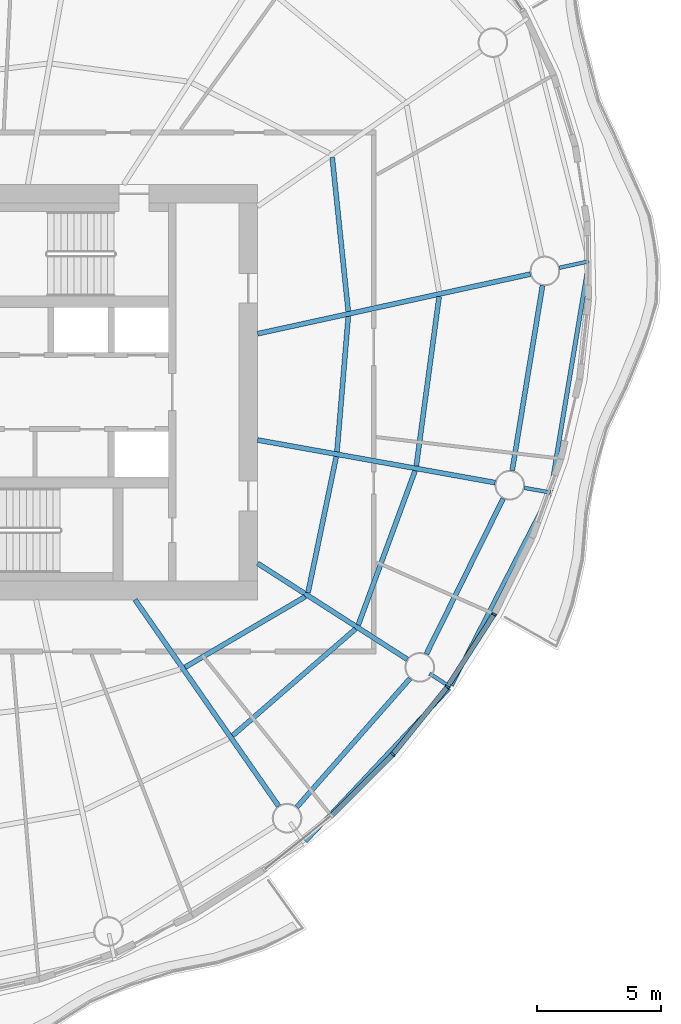
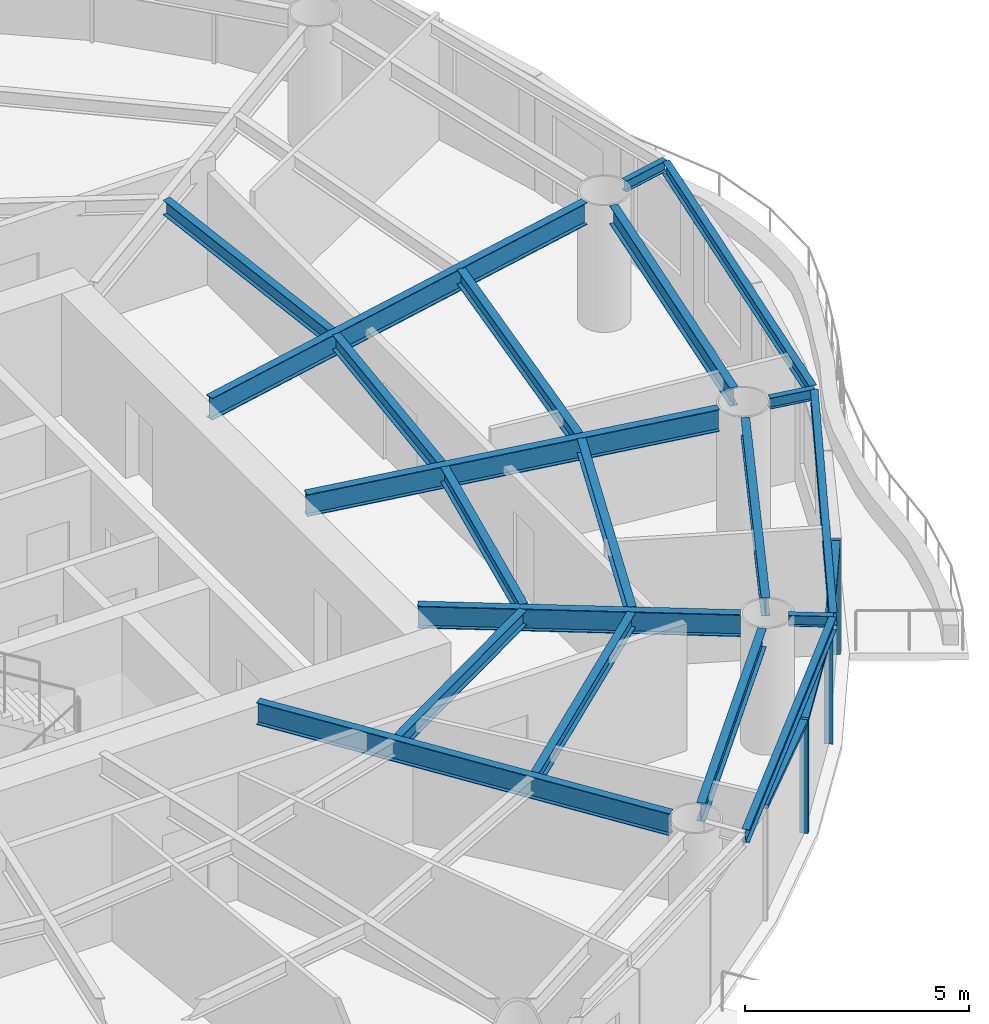
# One storey, part 4 of 14: 20 beams, 6 members, 3 elements without a shape of their own.
"""IFC4 building model written with IfcOpenShell, lengths in metres."""

from ifc_helpers import new_model, si_unit, direction, frame, origin, origin_2d, place, context, subcontext, project, spatial, rectangle, i_section, extrude, material, material_profile, profile_set, type_object, element, aggregate, save


model = new_model("IFC4")

# Units and contexts
model_context = context("Model", 3, precision=1e-05, world=origin(), true_north=direction((0.0, 1.0)))
body_context = subcontext(model_context, "Body", "Model", "MODEL_VIEW")
ifc_project = project(units=[si_unit("LENGTHUNIT", "METRE"), si_unit("AREAUNIT", "SQUARE_METRE"), si_unit("VOLUMEUNIT", "CUBIC_METRE"), si_unit("PLANEANGLEUNIT", "RADIAN"), si_unit("MASSUNIT", "GRAM", prefix="KILO")], contexts=[model_context])

# Site, building, storey
site_placement = place(None, origin())
site = spatial("IfcSite", under=ifc_project, at=site_placement, CompositionType="ELEMENT")
building_placement = place(site_placement, origin())
building = spatial("IfcBuilding", under=site, at=building_placement, Name="Vermilion Reach Broadcast Tower", CompositionType="ELEMENT")
storey_placement = place(building_placement, frame((0.0, 0.0, 224.5)))
storey = spatial("IfcBuildingStorey", under=building, at=storey_placement, Name="L55", CompositionType="ELEMENT", Elevation=224.5)

# Beams
ifc_material_1 = material(Name="Steel S355J2", Category="steel")
ifc_material_profile_1 = material_profile(ifc_material_1, i_section(OverallWidth=0.175048828125, OverallDepth=0.35009765625, WebThickness=0.007080078125, FlangeThickness=0.010986328125, at=origin_2d()), Name="S355J2 HN 350x175x7x11")
ifc_profile_set_1 = profile_set([ifc_material_profile_1], Name="Steel S355J2")
beam_type_1 = type_object("IfcBeamType", Name="EB4 HN 350x175x7x11", PredefinedType="BEAM", material=ifc_profile_set_1)
beam_1_placement = place(storey_placement, frame((6.736328125, -18.17333984375, 3.27490234375), z_axis=(0.684636119889, 0.72888502752, 0.0), x_axis=(-0.72888502752, 0.684636119889, 0.0)))
element("IfcBeam", 1, at=beam_1_placement, inside=storey, type_object=beam_type_1, Name="Edge beam EB4-12", PredefinedType="BEAM", context=body_context, shape_type="SweptSolid", body=[
    extrude(i_section(OverallWidth=0.175048828125, OverallDepth=0.35009765625, WebThickness=0.007080078125, FlangeThickness=0.010986328125, at=origin_2d()), origin(), (0.0, 0.0, 1.0), 8.491455078125),
])
beam_2_placement = place(storey_placement, frame((12.636474609375, -11.861572265625, 3.27490234375), z_axis=(0.45736451485, 0.889279315264, 0.0), x_axis=(-0.889279315264, 0.45736451485, 0.0)))
element("IfcBeam", 2, at=beam_2_placement, inside=storey, type_object=beam_type_1, Name="Edge beam EB4-13", PredefinedType="BEAM", context=body_context, shape_type="SweptSolid", body=[
    extrude(i_section(OverallWidth=0.175048828125, OverallDepth=0.35009765625, WebThickness=0.007080078125, FlangeThickness=0.010986328125, at=origin_2d()), origin(), (0.0, 0.0, 1.0), 8.69140625),
])
beam_3_placement = place(storey_placement, frame((16.659912109375, -3.98876953125, 3.27490234375), z_axis=(0.164356540248, 0.986400997403, 0.0), x_axis=(-0.986400997403, 0.164356540248, 0.0)))
element("IfcBeam", 3, at=beam_3_placement, inside=storey, type_object=beam_type_1, Name="Edge beam EB4-14", PredefinedType="BEAM", context=body_context, shape_type="SweptSolid", body=[
    extrude(i_section(OverallWidth=0.175048828125, OverallDepth=0.35009765625, WebThickness=0.007080078125, FlangeThickness=0.010986328125, at=origin_2d()), origin(), (0.0, 0.0, 1.0), 9.3271484375),
])
ifc_material_2 = material(Name="Steel S355J2", Category="steel")
ifc_material_profile_2 = material_profile(ifc_material_2, i_section(OverallWidth=0.199951171875, OverallDepth=0.60009765625, WebThickness=0.010986328125, FlangeThickness=0.01708984375, at=origin_2d()), Name="S355J2 HN 600x200x11x17")
ifc_profile_set_2 = profile_set([ifc_material_profile_2], Name="Steel S355J2")
beam_type_2 = type_object("IfcBeamType", Name="G4 HN 600x200x11x17", PredefinedType="BEAM", material=ifc_profile_set_2)
beam_4_placement = place(storey_placement, frame((-0.1552734375, -8.39990234375, 3.14990234375), z_axis=(0.571134149017, -0.8208567377, 0.0), x_axis=(0.8208567377, 0.571134149017, 0.0)))
element("IfcBeam", 4, at=beam_4_placement, inside=storey, type_object=beam_type_2, Name="Girder G4-12", PredefinedType="BEAM", context=body_context, shape_type="SweptSolid", body=[
    extrude(i_section(OverallWidth=0.199951171875, OverallDepth=0.60009765625, WebThickness=0.010986328125, FlangeThickness=0.01708984375, at=origin_2d()), origin(), (0.0, 0.0, 1.0), 10.16552734375),
])
beam_5_placement = place(storey_placement, frame((4.800048828125, -6.925537109375, 3.14990234375), z_axis=(0.841798504642, -0.539791883584, 0.0), x_axis=(0.539791883584, 0.841798504642, 0.0)))
element("IfcBeam", 5, at=beam_5_placement, inside=storey, type_object=beam_type_2, Name="Girder G4-13", PredefinedType="BEAM", context=body_context, shape_type="SweptSolid", body=[
    extrude(i_section(OverallWidth=0.199951171875, OverallDepth=0.60009765625, WebThickness=0.010986328125, FlangeThickness=0.01708984375, at=origin_2d()), origin(), (0.0, 0.0, 1.0), 7.1962890625),
])
beam_6_placement = place(storey_placement, frame((4.800048828125, -1.9375, 3.14990234375), z_axis=(0.984291153273, -0.176552897422, 0.0), x_axis=(0.176552897422, 0.984291153273, 0.0)))
element("IfcBeam", 6, at=beam_6_placement, inside=storey, type_object=beam_type_2, Name="Girder G4-14", PredefinedType="BEAM", context=body_context, shape_type="SweptSolid", body=[
    extrude(i_section(OverallWidth=0.199951171875, OverallDepth=0.60009765625, WebThickness=0.010986328125, FlangeThickness=0.01708984375, at=origin_2d()), origin(), (0.0, 0.0, 1.0), 9.765380859375),
])
beam_7_placement = place(storey_placement, frame((4.800048828125, 2.360595703125, 3.14990234375), z_axis=(0.976930175286, 0.213558967537, 0.0), x_axis=(-0.213558967537, 0.976930175286, 0.0)))
element("IfcBeam", 7, at=beam_7_placement, inside=storey, type_object=beam_type_2, Name="Girder G4-15", PredefinedType="BEAM", context=body_context, shape_type="SweptSolid", body=[
    extrude(i_section(OverallWidth=0.199951171875, OverallDepth=0.60009765625, WebThickness=0.010986328125, FlangeThickness=0.01708984375, at=origin_2d()), origin(), (0.0, 0.0, 1.0), 11.29833984375),
])
ifc_material_3 = material(Name="Steel S355J2", Category="steel")
ifc_material_profile_3 = material_profile(ifc_material_3, i_section(OverallWidth=0.14990234375, OverallDepth=0.300048828125, WebThickness=0.006591796875, FlangeThickness=0.009033203125, at=origin_2d()), Name="S355J2 HN 300x150x6.5x9")
ifc_profile_set_3 = profile_set([ifc_material_profile_3], Name="Steel S355J2")
beam_type_3 = type_object("IfcBeamType", Name="GS4 HN 300x150x6.5x9", PredefinedType="BEAM", material=ifc_profile_set_3)
beam_8_placement = place(storey_placement, frame((11.76025390625, -11.388671875, 3.300048828125), z_axis=(0.841796649213, -0.539794777091, 0.0), x_axis=(0.539794777091, 0.841796649213, 0.0)))
element("IfcBeam", 8, at=beam_8_placement, inside=storey, type_object=beam_type_3, Name="Cantilever stub GS4-13", PredefinedType="BEAM", context=body_context, shape_type="SweptSolid", body=[
    extrude(i_section(OverallWidth=0.14990234375, OverallDepth=0.300048828125, WebThickness=0.006591796875, FlangeThickness=0.009033203125, at=origin_2d()), origin(), (0.0, 0.0, 1.0), 1.0),
])
beam_9_placement = place(storey_placement, frame((15.59326171875, -3.87353515625, 3.300048828125), z_axis=(0.984272223299, -0.17665840043, 0.0), x_axis=(0.17665840043, 0.984272223299, 0.0)))
element("IfcBeam", 9, at=beam_9_placement, inside=storey, type_object=beam_type_3, Name="Cantilever stub GS4-14", PredefinedType="BEAM", context=body_context, shape_type="SweptSolid", body=[
    extrude(i_section(OverallWidth=0.14990234375, OverallDepth=0.300048828125, WebThickness=0.006591796875, FlangeThickness=0.009033203125, at=origin_2d()), origin(), (0.0, 0.0, 1.0), 1.071044921875),
])
beam_10_placement = place(storey_placement, frame((17.009765625, 5.029541015625, 3.300048828125), z_axis=(0.976945509972, 0.213488806607, 0.0), x_axis=(-0.213488806607, 0.976945509972, 0.0)))
element("IfcBeam", 10, at=beam_10_placement, inside=storey, type_object=beam_type_3, Name="Cantilever stub GS4-15", PredefinedType="BEAM", context=body_context, shape_type="SweptSolid", body=[
    extrude(i_section(OverallWidth=0.14990234375, OverallDepth=0.300048828125, WebThickness=0.006591796875, FlangeThickness=0.009033203125, at=origin_2d()), origin(), (0.0, 0.0, 1.0), 1.224853515625),
])
ifc_material_4 = material(Name="Steel S355J2", Category="steel")
ifc_material_profile_4 = material_profile(ifc_material_4, i_section(OverallWidth=0.199951171875, OverallDepth=0.5, WebThickness=0.010009765625, FlangeThickness=0.01611328125, at=origin_2d()), Name="S355J2 HN 500x200x10x16")
ifc_profile_set_4 = profile_set([ifc_material_profile_4], Name="Steel S355J2")
beam_type_4 = type_object("IfcBeamType", Name="RB4 HN 500x200x10x16", PredefinedType="BEAM", material=ifc_profile_set_4)
beam_11_placement = place(storey_placement, frame((6.3896484375, -16.786376953125, 3.199951171875), z_axis=(0.660565141761, 0.750768735024, 0.0), x_axis=(-0.750768735024, 0.660565141761, 0.0)))
element("IfcBeam", 11, at=beam_11_placement, inside=storey, type_object=beam_type_4, Name="Ring beam RB4-12", PredefinedType="BEAM", context=body_context, shape_type="SweptSolid", body=[
    extrude(i_section(OverallWidth=0.199951171875, OverallDepth=0.5, WebThickness=0.010009765625, FlangeThickness=0.01611328125, at=origin_2d()), origin(), (0.0, 0.0, 1.0), 6.9287109375),
])
beam_12_placement = place(storey_placement, frame((11.628662109375, -10.595947265625, 3.199951171875), z_axis=(0.442977497199, 0.896532730566, 0.0), x_axis=(-0.896532730566, 0.442977497199, 0.0)))
element("IfcBeam", 12, at=beam_12_placement, inside=storey, type_object=beam_type_4, Name="Ring beam RB4-13", PredefinedType="BEAM", context=body_context, shape_type="SweptSolid", body=[
    extrude(i_section(OverallWidth=0.199951171875, OverallDepth=0.5, WebThickness=0.010009765625, FlangeThickness=0.01611328125, at=origin_2d()), origin(), (0.0, 0.0, 1.0), 7.0166015625),
])
beam_13_placement = place(storey_placement, frame((15.099609375, -3.175537109375, 3.199951171875), z_axis=(0.161778110263, 0.986827159659, 0.0), x_axis=(-0.986827159659, 0.161778110263, 0.0)))
element("IfcBeam", 13, at=beam_13_placement, inside=storey, type_object=beam_type_4, Name="Ring beam RB4-14", PredefinedType="BEAM", context=body_context, shape_type="SweptSolid", body=[
    extrude(i_section(OverallWidth=0.199951171875, OverallDepth=0.5, WebThickness=0.010009765625, FlangeThickness=0.01611328125, at=origin_2d()), origin(), (0.0, 0.0, 1.0), 7.584716796875),
])
ifc_material_5 = material(Name="Steel S355J2", Category="steel")
ifc_material_profile_5 = material_profile(ifc_material_5, i_section(OverallWidth=0.199951171875, OverallDepth=0.39990234375, WebThickness=0.008056640625, FlangeThickness=0.012939453125, at=origin_2d()), Name="S355J2 HN 400x200x8x13")
ifc_profile_set_5 = profile_set([ifc_material_profile_5], Name="Steel S355J2")
beam_type_5 = type_object("IfcBeamType", Name="SB4 HN 400x200x8x13", PredefinedType="BEAM", material=ifc_profile_set_5)
beam_14_placement = place(storey_placement, frame((1.866455078125, -11.130615234375, 3.25), z_axis=(0.862172572268, 0.506614701356, 0.0), x_axis=(-0.506614701356, 0.862172572268, 0.0)))
element("IfcBeam", 14, at=beam_14_placement, inside=storey, type_object=beam_type_5, Name="Secondary beam SB4-12-1", PredefinedType="BEAM", context=body_context, shape_type="SweptSolid", body=[
    extrude(i_section(OverallWidth=0.199951171875, OverallDepth=0.39990234375, WebThickness=0.008056640625, FlangeThickness=0.012939453125, at=origin_2d()), origin(), (0.0, 0.0, 1.0), 5.632568359375),
])
beam_15_placement = place(storey_placement, frame((3.791259765625, -13.89697265625, 3.25), z_axis=(0.755129308567, 0.655575874589, 0.0), x_axis=(-0.655575874589, 0.755129308567, 0.0)))
element("IfcBeam", 15, at=beam_15_placement, inside=storey, type_object=beam_type_5, Name="Secondary beam SB4-12-2", PredefinedType="BEAM", context=body_context, shape_type="SweptSolid", body=[
    extrude(i_section(OverallWidth=0.199951171875, OverallDepth=0.39990234375, WebThickness=0.008056640625, FlangeThickness=0.012939453125, at=origin_2d()), origin(), (0.0, 0.0, 1.0), 6.57958984375),
])
beam_16_placement = place(storey_placement, frame((6.841064453125, -8.115478515625, 3.25), z_axis=(0.20320860258, 0.979135467562, 0.0), x_axis=(-0.979135467562, 0.20320860258, 0.0)))
element("IfcBeam", 16, at=beam_16_placement, inside=storey, type_object=beam_type_5, Name="Secondary beam SB4-13-1", PredefinedType="BEAM", context=body_context, shape_type="SweptSolid", body=[
    extrude(i_section(OverallWidth=0.199951171875, OverallDepth=0.39990234375, WebThickness=0.008056640625, FlangeThickness=0.012939453125, at=origin_2d()), origin(), (0.0, 0.0, 1.0), 5.622802734375),
])
beam_17_placement = place(storey_placement, frame((8.8740234375, -9.419189453125, 3.25), z_axis=(0.345833008621, 0.938296078084, 0.0), x_axis=(-0.938296078084, 0.345833008621, 0.0)))
element("IfcBeam", 17, at=beam_17_placement, inside=storey, type_object=beam_type_5, Name="Secondary beam SB4-13-2", PredefinedType="BEAM", context=body_context, shape_type="SweptSolid", body=[
    extrude(i_section(OverallWidth=0.199951171875, OverallDepth=0.39990234375, WebThickness=0.008056640625, FlangeThickness=0.012939453125, at=origin_2d()), origin(), (0.0, 0.0, 1.0), 6.647216796875),
])
beam_18_placement = place(storey_placement, frame((8.012451171875, -2.412109375, 3.25), z_axis=(0.08339866655, 0.996516262997, 0.0), x_axis=(-0.996516262997, 0.08339866655, 0.0)))
element("IfcBeam", 18, at=beam_18_placement, inside=storey, type_object=beam_type_5, Name="Secondary beam SB4-14-1", PredefinedType="BEAM", context=body_context, shape_type="SweptSolid", body=[
    extrude(i_section(OverallWidth=0.199951171875, OverallDepth=0.39990234375, WebThickness=0.008056640625, FlangeThickness=0.012939453125, at=origin_2d()), origin(), (0.0, 0.0, 1.0), 5.49169921875),
])
beam_19_placement = place(storey_placement, frame((11.221435546875, -2.98779296875, 3.25), z_axis=(0.133486718782, 0.991050602093, 0.0), x_axis=(-0.991050602093, 0.133486718782, 0.0)))
element("IfcBeam", 19, at=beam_19_placement, inside=storey, type_object=beam_type_5, Name="Secondary beam SB4-14-2", PredefinedType="BEAM", context=body_context, shape_type="SweptSolid", body=[
    extrude(i_section(OverallWidth=0.199951171875, OverallDepth=0.39990234375, WebThickness=0.008056640625, FlangeThickness=0.012939453125, at=origin_2d()), origin(), (0.0, 0.0, 1.0), 6.913330078125),
])
beam_20_placement = place(storey_placement, frame((8.46875, 3.264892578125, 3.25), z_axis=(-0.103532173355, 0.994626105167, 0.0), x_axis=(-0.994626105167, -0.103532173355, 0.0)))
element("IfcBeam", 20, at=beam_20_placement, inside=storey, type_object=beam_type_5, Name="Secondary beam SB4-15-1", PredefinedType="BEAM", context=body_context, shape_type="SweptSolid", body=[
    extrude(i_section(OverallWidth=0.199951171875, OverallDepth=0.39990234375, WebThickness=0.008056640625, FlangeThickness=0.012939453125, at=origin_2d()), origin(), (0.0, 0.0, 1.0), 6.26318359375),
])

# Curtain wall, member
ifc_material_6 = material(Name="Low-e laminated clear glass in aluminium frame", Category="aluminium")
curtain_wall_type = type_object("IfcCurtainWallType", Name="Slot curtain wall", PredefinedType="NOTDEFINED", material=ifc_material_6)
placement = place(storey_placement, origin())
curtain_wall_1 = element("IfcCurtainWall", 21, at=placement, inside=storey, type_object=curtain_wall_type, Name="Slot curtain wall L55 36", PredefinedType="NOTDEFINED")
ifc_material_7 = material(Name="Anodised aluminium", Category="aluminium")
ifc_material_profile_6 = material_profile(ifc_material_7, rectangle(XDim=0.199951171875, YDim=0.080078125, at=origin_2d()), Name="Slot mullion 80 x 200")
ifc_profile_set_6 = profile_set([ifc_material_profile_6], Name="Anodised aluminium")
member_type_1 = type_object("IfcMemberType", Name="Slot mullion 80 x 200", PredefinedType="MULLION", material=ifc_profile_set_6)
member_1_placement = place(storey_placement, frame((10.274169921875, -14.6533203125, 0.0), z_axis=(0.0, 0.0, 1.0), x_axis=(-0.743144825244, 0.669130606618, 0.0)))
member_1 = element("IfcMember", 22, at=member_1_placement, type_object=member_type_1, Name="Slot mullion L55 36", PredefinedType="MULLION", context=body_context, shape_type="SweptSolid", body=[
    extrude(rectangle(XDim=0.199951171875, YDim=0.080078125, at=origin_2d()), origin(), (0.0, 0.0, 1.0), 3.10009765625),
])

# Curtain wall, members
curtain_wall_2 = element("IfcCurtainWall", 23, at=placement, inside=storey, type_object=curtain_wall_type, Name="Slot curtain wall L55 37", PredefinedType="NOTDEFINED")
member_2_placement = place(storey_placement, frame((12.478759765625, -11.923583984375, 0.0), z_axis=(0.0, 0.0, 1.0), x_axis=(-0.810715835518, 0.585439863727, 0.0)))
member_2 = element("IfcMember", 24, at=member_2_placement, type_object=member_type_1, Name="Slot mullion L55 37", PredefinedType="MULLION", context=body_context, shape_type="SweptSolid", body=[
    extrude(rectangle(XDim=0.199951171875, YDim=0.080078125, at=origin_2d()), origin(), (0.0, 0.0, 1.0), 3.10009765625),
])
member_3_placement = place(storey_placement, frame((14.36572265625, -8.989013671875, 0.0), z_axis=(0.0, 0.0, 1.0), x_axis=(-0.869503463095, 0.493926844447, 0.0)))
member_3 = element("IfcMember", 25, at=member_3_placement, type_object=member_type_1, Name="Slot mullion L55 38", PredefinedType="MULLION", context=body_context, shape_type="SweptSolid", body=[
    extrude(rectangle(XDim=0.199951171875, YDim=0.080078125, at=origin_2d()), origin(), (0.0, 0.0, 1.0), 3.10009765625),
])

# Curtain wall, member
curtain_wall_3 = element("IfcCurtainWall", 26, at=placement, inside=storey, type_object=curtain_wall_type, Name="Slot curtain wall L55 35", PredefinedType="NOTDEFINED")
ifc_material_8 = material(Name="Anodised aluminium", Category="aluminium")
ifc_material_profile_7 = material_profile(ifc_material_8, rectangle(XDim=0.199951171875, YDim=0.10009765625, at=origin_2d()), Name="Slot transom 200 x 100")
ifc_profile_set_7 = profile_set([ifc_material_profile_7], Name="Anodised aluminium")
member_type_2 = type_object("IfcMemberType", Name="Slot transom 200 x 100", PredefinedType="USERDEFINED", material=ifc_profile_set_7)
member_4_placement = place(storey_placement, frame((7.818115234375, -17.10302734375, 3.050048828125), z_axis=(0.70803180019, 0.706180550511, 0.0), x_axis=(-0.706180550511, 0.70803180019, 0.0)))
member_4 = element("IfcMember", 27, at=member_4_placement, type_object=member_type_2, Name="Slot transom L55 35.1", ObjectType="TRANSOM", PredefinedType="USERDEFINED", context=body_context, shape_type="SweptSolid", body=[
    extrude(rectangle(XDim=0.199951171875, YDim=0.10009765625, at=origin_2d()), origin(), (0.0, 0.0, 1.0), 3.428955078125),
])
aggregate(curtain_wall_3, [member_4])

# Member
member_5_placement = place(storey_placement, frame((10.29931640625, -14.6220703125, 3.050048828125), z_axis=(0.62830064403, 0.777970629723, 0.0), x_axis=(-0.777970629723, 0.62830064403, 0.0)))
member_5 = element("IfcMember", 28, at=member_5_placement, type_object=member_type_2, Name="Slot transom L55 36.1", ObjectType="TRANSOM", PredefinedType="USERDEFINED", context=body_context, shape_type="SweptSolid", body=[
    extrude(rectangle(XDim=0.199951171875, YDim=0.10009765625, at=origin_2d()), origin(), (0.0, 0.0, 1.0), 3.4287109375),
])

aggregate(curtain_wall_1, [member_1, member_5])

member_6_placement = place(storey_placement, frame((12.50048828125, -11.889892578125, 3.050048828125), z_axis=(0.540822748217, 0.841136585229, 0.0), x_axis=(-0.841136585229, 0.540822748217, 0.0)))
member_6 = element("IfcMember", 29, at=member_6_placement, type_object=member_type_2, Name="Slot transom L55 37.1", ObjectType="TRANSOM", PredefinedType="USERDEFINED", context=body_context, shape_type="SweptSolid", body=[
    extrude(rectangle(XDim=0.199951171875, YDim=0.10009765625, at=origin_2d()), origin(), (0.0, 0.0, 1.0), 3.40869140625),
])

aggregate(curtain_wall_2, [member_2, member_3, member_6])

save(model, "model.ifc")
